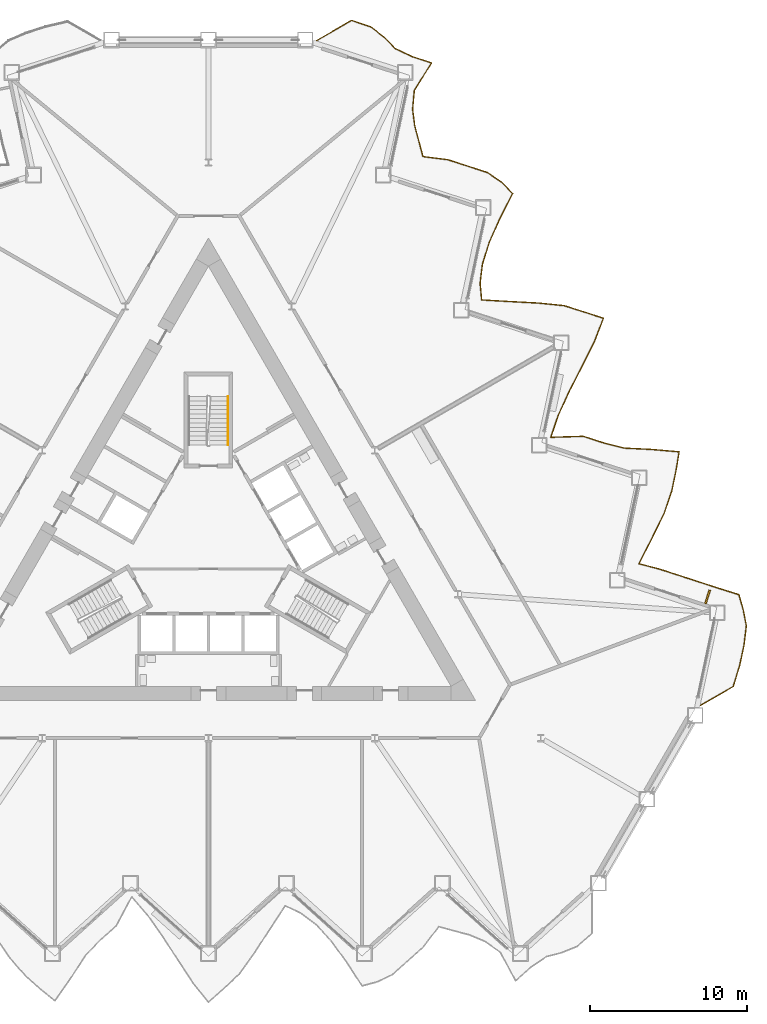
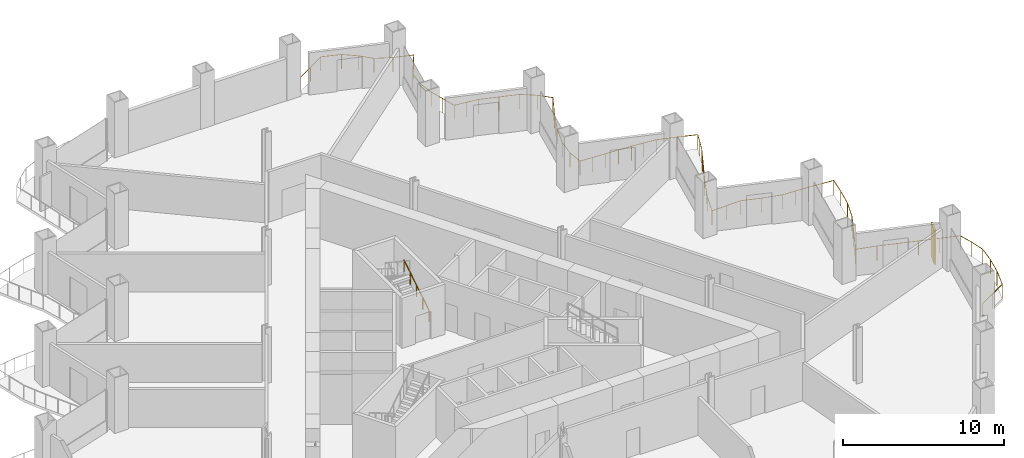
# One storey, part 18 of 20: 2 railings, 1 shading device.
"""IFC4 building model written with IfcOpenShell, lengths in metres."""

from ifc_helpers import new_model, si_unit, direction, frame, origin, origin_2d, place, context, subcontext, project, spatial, rectangle, circle, extrude, material, layer, layer_set, type_object, element, save


model = new_model("IFC4")

# Units and contexts
model_context = context("Model", 3, precision=1e-05, world=origin(), true_north=direction((0.0, 1.0)))
body_context = subcontext(model_context, "Body", "Model", "MODEL_VIEW")
ifc_project = project(units=[si_unit("LENGTHUNIT", "METRE"), si_unit("AREAUNIT", "SQUARE_METRE"), si_unit("VOLUMEUNIT", "CUBIC_METRE"), si_unit("PLANEANGLEUNIT", "RADIAN"), si_unit("MASSUNIT", "GRAM", prefix="KILO")], contexts=[model_context])

# Site, building, storey
site_placement = place(None, origin())
site = spatial("IfcSite", under=ifc_project, at=site_placement, CompositionType="ELEMENT")
building_placement = place(site_placement, origin())
building = spatial("IfcBuilding", under=site, at=building_placement, Name="Cormorant Prow Tower", CompositionType="ELEMENT")
storey_placement = place(building_placement, frame((0.0, 0.0, 63.60009765625)))
storey = spatial("IfcBuildingStorey", under=building, at=storey_placement, Name="L13", CompositionType="ELEMENT", Elevation=63.60009765625)

# Railings
ifc_material_1 = material(Name="Aluminium 6063-T6", Category="aluminium")
railing_type_1 = type_object("IfcRailingType", Name="Balcony guard 1100", PredefinedType="GUARDRAIL", material=ifc_material_1)
railing_1_placement = place(storey_placement, frame((31.3291015625, -10.131591796875, 0.0)))
element("IfcRailing", 1, at=railing_1_placement, inside=storey, type_object=railing_type_1, Name="Balcony guard ENE", PredefinedType="GUARDRAIL", context=body_context, shape_type="SweptSolid", body=[
    extrude(circle(Radius=0.02392578125, at=origin_2d()), frame((0.0, 0.0, 1.076171875), z_axis=(0.866028295127, 0.499994992015, 0.0), x_axis=(-0.499994992015, 0.866028295127, 0.0)), (0.0, 0.0, 1.0), 2.40380859375),
    extrude(circle(Radius=0.02392578125, at=origin_2d()), frame((2.081787109375, 1.201904296875, 1.076171875), z_axis=(0.291568684653, 0.956549895264, 0.0), x_axis=(-0.956549895264, 0.291568684653, 0.0)), (0.0, 0.0, 1.0), 1.431884765625),
    extrude(circle(Radius=0.02392578125, at=origin_2d()), frame((2.499267578125, 2.571533203125, 1.076171875), z_axis=(0.207843219599, 0.978162152236, 0.0), x_axis=(-0.978162152236, 0.207843219599, 0.0)), (0.0, 0.0, 1.0), 1.315673828125),
    extrude(circle(Radius=0.02392578125, at=origin_2d()), frame((2.772705078125, 3.8583984375, 1.076171875), z_axis=(0.119137338325, 0.99287778433, 0.0), x_axis=(-0.99287778433, 0.119137338325, 0.0)), (0.0, 0.0, 1.0), 1.221435546875),
    extrude(circle(Radius=0.02392578125, at=origin_2d()), frame((2.918212890625, 5.071044921875, 1.076171875), z_axis=(-0.192070964162, 0.981381039518, 0.0), x_axis=(-0.981381039518, -0.192070964162, 0.0)), (0.0, 0.0, 1.0), 1.033447265625),
    extrude(circle(Radius=0.02392578125, at=origin_2d()), frame((2.7197265625, 6.085205078125, 1.076171875), z_axis=(-0.277057369116, 0.960853378106, 0.0), x_axis=(-0.960853378106, -0.277057369116, 0.0)), (0.0, 0.0, 1.0), 1.007080078125),
    extrude(circle(Radius=0.02392578125, at=origin_2d()), frame((2.440673828125, 7.052978515625, 1.076171875), z_axis=(-0.954349059567, 0.298693609745, 0.0), x_axis=(-0.298693609745, -0.954349059567, 0.0)), (0.0, 0.0, 1.0), 1.328125),
    extrude(circle(Radius=0.02392578125, at=origin_2d()), frame((1.173095703125, 7.44970703125, 1.076171875), z_axis=(-0.95106815658, 0.308981166967, 0.0), x_axis=(-0.308981166967, -0.95106815658, 0.0)), (0.0, 0.0, 1.0), 1.315673828125),
    extrude(circle(Radius=0.02392578125, at=origin_2d()), frame((-0.078125, 7.856201171875, 1.076171875), z_axis=(-0.951050435231, 0.30903570934, 0.0), x_axis=(-0.30903570934, -0.951050435231, 0.0)), (0.0, 0.0, 1.0), 1.3154296875),
    extrude(circle(Radius=0.02392578125, at=origin_2d()), frame((-1.3291015625, 8.2626953125, 1.076171875), z_axis=(-0.95106815658, 0.308981166967, 0.0), x_axis=(-0.308981166967, -0.95106815658, 0.0)), (0.0, 0.0, 1.0), 1.315673828125),
    extrude(circle(Radius=0.02392578125, at=origin_2d()), frame((-2.580322265625, 8.669189453125, 1.076171875), z_axis=(-0.967233662094, 0.253887854991, 0.0), x_axis=(-0.253887854991, -0.967233662094, 0.0)), (0.0, 0.0, 1.0), 1.389404296875),
    extrude(circle(Radius=0.02392578125, at=origin_2d()), frame((-3.92431640625, 9.02197265625, 1.076171875), z_axis=(0.45708818819, 0.889421378322, 0.0), x_axis=(-0.889421378322, 0.45708818819, 0.0)), (0.0, 0.0, 1.0), 1.8046875),
    extrude(circle(Radius=0.02392578125, at=origin_2d()), frame((-3.099365234375, 10.627197265625, 1.076171875), z_axis=(0.44063445979, 0.897686622851, 0.0), x_axis=(-0.897686622851, 0.44063445979, 0.0)), (0.0, 0.0, 1.0), 1.754638671875),
    extrude(circle(Radius=0.02392578125, at=origin_2d()), frame((-2.326171875, 12.202392578125, 1.076171875), z_axis=(0.325359186803, 0.945590503105, 0.0), x_axis=(-0.945590503105, 0.325359186803, 0.0)), (0.0, 0.0, 1.0), 1.489501953125),
    extrude(circle(Radius=0.02392578125, at=origin_2d()), frame((-1.841552734375, 13.61083984375, 1.076171875), z_axis=(0.207880954361, 0.978154133465, 0.0), x_axis=(-0.978154133465, 0.207880954361, 0.0)), (0.0, 0.0, 1.0), 1.3154296875),
    extrude(circle(Radius=0.02392578125, at=origin_2d()), frame((-1.568115234375, 14.8974609375, 1.076171875), z_axis=(0.162739584214, 0.986669056842, 0.0), x_axis=(-0.986669056842, 0.162739584214, 0.0)), (0.0, 0.0, 1.0), 1.2646484375),
    extrude(circle(Radius=0.02392578125, at=origin_2d()), frame((-1.3623046875, 16.145263671875, 1.076171875), z_axis=(-0.996170344756, 0.087433656158, 0.0), x_axis=(-0.087433656158, -0.996170344756, 0.0)), (0.0, 0.0, 1.0), 1.703369140625),
    extrude(circle(Radius=0.02392578125, at=origin_2d()), frame((-3.05908203125, 16.294189453125, 1.076171875), z_axis=(-0.998770844502, 0.049566119198, 0.0), x_axis=(-0.049566119198, -0.998770844502, 0.0)), (0.0, 0.0, 1.0), 1.802734375),
    extrude(circle(Radius=0.02392578125, at=origin_2d()), frame((-4.859619140625, 16.383544921875, 1.076171875), z_axis=(-0.969139593685, 0.24651257159, 0.0), x_axis=(-0.24651257159, -0.969139593685, 0.0)), (0.0, 0.0, 1.0), 1.400390625),
    extrude(circle(Radius=0.02392578125, at=origin_2d()), frame((-6.216796875, 16.728759765625, 1.076171875), z_axis=(-0.951122678146, 0.308813294914, 0.0), x_axis=(-0.308813294914, -0.951122678146, 0.0)), (0.0, 0.0, 1.0), 1.3154296875),
    extrude(circle(Radius=0.02392578125, at=origin_2d()), frame((-7.468017578125, 17.135009765625, 1.076171875), z_axis=(-0.999524557698, -0.030832751396, 0.0), x_axis=(0.030832751396, -0.999524557698, 0.0)), (0.0, 0.0, 1.0), 2.066650390625),
    extrude(circle(Radius=0.02392578125, at=origin_2d()), frame((-9.53369140625, 17.0712890625, 1.076171875), z_axis=(0.322292029461, 0.946640294804, 0.0), x_axis=(-0.946640294804, 0.322292029461, 0.0)), (0.0, 0.0, 1.0), 1.48388671875),
    extrude(circle(Radius=0.02392578125, at=origin_2d()), frame((-9.055419921875, 18.47607421875, 1.076171875), z_axis=(0.417271310622, 0.908781961381, 0.0), x_axis=(-0.908781961381, 0.417271310622, 0.0)), (0.0, 0.0, 1.0), 1.6904296875),
    extrude(circle(Radius=0.02392578125, at=origin_2d()), frame((-8.35009765625, 20.01220703125, 1.076171875), z_axis=(0.455498311896, 0.890236647111, 0.0), x_axis=(-0.890236647111, 0.455498311896, 0.0)), (0.0, 0.0, 1.0), 1.79931640625),
    extrude(circle(Radius=0.02392578125, at=origin_2d()), frame((-7.530517578125, 21.614013671875, 1.076171875), z_axis=(0.446497072921, 0.894785093681, 0.0), x_axis=(-0.894785093681, 0.446497072921, 0.0)), (0.0, 0.0, 1.0), 1.772216796875),
    extrude(circle(Radius=0.02392578125, at=origin_2d()), frame((-6.7392578125, 23.19970703125, 1.076171875), z_axis=(0.358431464982, 0.933556042726, 0.0), x_axis=(-0.933556042726, 0.358431464982, 0.0)), (0.0, 0.0, 1.0), 1.5537109375),
    extrude(circle(Radius=0.02392578125, at=origin_2d()), frame((-6.182373046875, 24.650146484375, 1.076171875), z_axis=(-0.951122678146, 0.308813294914, 0.0), x_axis=(-0.308813294914, -0.951122678146, 0.0)), (0.0, 0.0, 1.0), 1.3154296875),
    extrude(circle(Radius=0.02392578125, at=origin_2d()), frame((-7.43359375, 25.056396484375, 1.076171875), z_axis=(-0.953643881529, 0.300937447358, 0.0), x_axis=(-0.300937447358, -0.953643881529, 0.0)), (0.0, 0.0, 1.0), 1.32568359375),
    extrude(circle(Radius=0.02392578125, at=origin_2d()), frame((-8.69775390625, 25.455322265625, 1.076171875), z_axis=(-0.995097574217, 0.09889801711, 0.0), x_axis=(-0.09889801711, -0.995097574217, 0.0)), (0.0, 0.0, 1.0), 1.67626953125),
    extrude(circle(Radius=0.02392578125, at=origin_2d()), frame((-10.36572265625, 25.62109375, 1.076171875), z_axis=(-0.998635801045, 0.052216251035, 0.0), x_axis=(-0.052216251035, -0.998635801045, 0.0)), (0.0, 0.0, 1.0), 1.79541015625),
    extrude(circle(Radius=0.02392578125, at=origin_2d()), frame((-12.15869140625, 25.71484375, 1.076171875), z_axis=(-0.998322755182, 0.057893665341, 0.0), x_axis=(-0.057893665341, -0.998322755182, 0.0)), (0.0, 0.0, 1.0), 1.779541015625),
    extrude(circle(Radius=0.02392578125, at=origin_2d()), frame((-13.935302734375, 25.81787109375, 1.076171875), z_axis=(-0.091415167566, 0.99581286753, 0.0), x_axis=(-0.99581286753, -0.091415167566, 0.0)), (0.0, 0.0, 1.0), 1.076171875),
    extrude(circle(Radius=0.02392578125, at=origin_2d()), frame((-14.03369140625, 26.8896484375, 1.076171875), z_axis=(0.123863168614, 0.992299307397, 0.0), x_axis=(-0.992299307397, 0.123863168614, 0.0)), (0.0, 0.0, 1.0), 1.22607421875),
    extrude(circle(Radius=0.02392578125, at=origin_2d()), frame((-13.8818359375, 28.106201171875, 1.076171875), z_axis=(0.30028303129, 0.95385014605, 0.0), x_axis=(-0.95385014605, 0.30028303129, 0.0)), (0.0, 0.0, 1.0), 1.4462890625),
    extrude(circle(Radius=0.02392578125, at=origin_2d()), frame((-13.447509765625, 29.48583984375, 1.076171875), z_axis=(0.406138466053, 0.91381154862, 0.0), x_axis=(-0.91381154862, 0.406138466053, 0.0)), (0.0, 0.0, 1.0), 1.66162109375),
    extrude(circle(Radius=0.02392578125, at=origin_2d()), frame((-12.772705078125, 31.004150390625, 1.076171875), z_axis=(0.452605619948, 0.891710801096, 0.0), x_axis=(-0.891710801096, 0.452605619948, 0.0)), (0.0, 0.0, 1.0), 1.790283203125),
    extrude(circle(Radius=0.02392578125, at=origin_2d()), frame((-11.96240234375, 32.6005859375, 1.076171875), z_axis=(-0.709392215106, 0.704813936544, 0.0), x_axis=(-0.704813936544, -0.709392215106, 0.0)), (0.0, 0.0, 1.0), 1.01318359375),
    extrude(circle(Radius=0.02392578125, at=origin_2d()), frame((-12.68115234375, 33.314697265625, 1.076171875), z_axis=(-0.823343636719, 0.567543175339, 0.0), x_axis=(-0.567543175339, -0.823343636719, 0.0)), (0.0, 0.0, 1.0), 1.082275390625),
    extrude(circle(Radius=0.02392578125, at=origin_2d()), frame((-13.572265625, 33.928955078125, 1.076171875), z_axis=(-0.951050435231, 0.30903570934, 0.0), x_axis=(-0.30903570934, -0.951050435231, 0.0)), (0.0, 0.0, 1.0), 1.3154296875),
    extrude(circle(Radius=0.02392578125, at=origin_2d()), frame((-14.8232421875, 34.33544921875, 1.076171875), z_axis=(-0.95106815658, 0.308981166967, 0.0), x_axis=(-0.308981166967, -0.95106815658, 0.0)), (0.0, 0.0, 1.0), 1.315673828125),
    extrude(circle(Radius=0.02392578125, at=origin_2d()), frame((-16.074462890625, 34.741943359375, 1.076171875), z_axis=(-0.991950992504, 0.126622385348, 0.0), x_axis=(-0.126622385348, -0.991950992504, 0.0)), (0.0, 0.0, 1.0), 1.61376953125),
    extrude(circle(Radius=0.02392578125, at=origin_2d()), frame((-17.67529296875, 34.9462890625, 1.076171875), z_axis=(-0.253912214246, 0.967227267738, 0.0), x_axis=(-0.967227267738, -0.253912214246, 0.0)), (0.0, 0.0, 1.0), 1.013427734375),
    extrude(circle(Radius=0.02392578125, at=origin_2d()), frame((-17.9326171875, 35.926513671875, 1.076171875), z_axis=(-0.261687233398, 0.965152729819, 0.0), x_axis=(-0.965152729819, -0.261687233398, 0.0)), (0.0, 0.0, 1.0), 1.01123046875),
    extrude(circle(Radius=0.02392578125, at=origin_2d()), frame((-18.197265625, 36.902587890625, 1.076171875), z_axis=(-0.124261304675, 0.992249529181, 0.0), x_axis=(-0.992249529181, -0.124261304675, 0.0)), (0.0, 0.0, 1.0), 1.06103515625),
    extrude(circle(Radius=0.02392578125, at=origin_2d()), frame((-18.3291015625, 37.955322265625, 1.076171875), z_axis=(0.089467495332, 0.995989742557, 0.0), x_axis=(-0.995989742557, 0.089467495332, 0.0)), (0.0, 0.0, 1.0), 1.1953125),
    extrude(circle(Radius=0.02392578125, at=origin_2d()), frame((-18.22216796875, 39.145751953125, 1.076171875), z_axis=(0.528039693597, 0.84921969006, 0.0), x_axis=(-0.84921969006, 0.528039693597, 0.0)), (0.0, 0.0, 1.0), 2.07373046875),
    extrude(circle(Radius=0.02392578125, at=origin_2d()), frame((-17.127197265625, 40.90673828125, 1.076171875), z_axis=(-0.951050435231, 0.30903570934, 0.0), x_axis=(-0.30903570934, -0.951050435231, 0.0)), (0.0, 0.0, 1.0), 1.3154296875),
    extrude(circle(Radius=0.02392578125, at=origin_2d()), frame((-18.378173828125, 41.313232421875, 1.076171875), z_axis=(-0.900774449028, 0.434287222904, 0.0), x_axis=(-0.434287222904, -0.900774449028, 0.0)), (0.0, 0.0, 1.0), 1.182861328125),
    extrude(circle(Radius=0.02392578125, at=origin_2d()), frame((-19.443603515625, 41.826904296875, 1.076171875), z_axis=(-0.701158389728, 0.713005548726, 0.0), x_axis=(-0.713005548726, -0.701158389728, 0.0)), (0.0, 0.0, 1.0), 1.009765625),
    extrude(circle(Radius=0.02392578125, at=origin_2d()), frame((-20.151611328125, 42.546875, 1.076171875), z_axis=(-0.787690684172, 0.616070926168, 0.0), x_axis=(-0.616070926168, -0.787690684172, 0.0)), (0.0, 0.0, 1.0), 1.05419921875),
    extrude(circle(Radius=0.02392578125, at=origin_2d()), frame((-20.98193359375, 43.1962890625, 1.076171875), z_axis=(-0.946922575113, 0.321461718936, 0.0), x_axis=(-0.321461718936, -0.946922575113, 0.0)), (0.0, 0.0, 1.0), 1.30029296875),
    extrude(circle(Radius=0.02392578125, at=origin_2d()), frame((-22.213134765625, 43.6142578125, 1.076171875), z_axis=(-0.866013163002, -0.500021201058, 0.0), x_axis=(0.500021201058, -0.866013163002, 0.0)), (0.0, 0.0, 1.0), 2.5703125),
    extrude(circle(Radius=0.02099609375, at=origin_2d()), origin(), (0.0, 0.0, 1.0), 1.052001953125),
    extrude(circle(Radius=0.02099609375, at=origin_2d()), frame((1.041015625, 0.60107421875, 0.0)), (0.0, 0.0, 1.0), 1.052001953125),
    extrude(circle(Radius=0.02099609375, at=origin_2d()), frame((2.081787109375, 1.201904296875, 0.0)), (0.0, 0.0, 1.0), 1.052001953125),
    extrude(circle(Radius=0.02099609375, at=origin_2d()), frame((2.499267578125, 2.571533203125, 0.0)), (0.0, 0.0, 1.0), 1.052001953125),
    extrude(circle(Radius=0.02099609375, at=origin_2d()), frame((2.772705078125, 3.8583984375, 0.0)), (0.0, 0.0, 1.0), 1.052001953125),
    extrude(circle(Radius=0.02099609375, at=origin_2d()), frame((2.918212890625, 5.071044921875, 0.0)), (0.0, 0.0, 1.0), 1.052001953125),
    extrude(circle(Radius=0.02099609375, at=origin_2d()), frame((2.7197265625, 6.085205078125, 0.0)), (0.0, 0.0, 1.0), 1.052001953125),
    extrude(circle(Radius=0.02099609375, at=origin_2d()), frame((2.440673828125, 7.052978515625, 0.0)), (0.0, 0.0, 1.0), 1.052001953125),
    extrude(circle(Radius=0.02099609375, at=origin_2d()), frame((1.173095703125, 7.44970703125, 0.0)), (0.0, 0.0, 1.0), 1.052001953125),
    extrude(circle(Radius=0.02099609375, at=origin_2d()), frame((-0.078125, 7.856201171875, 0.0)), (0.0, 0.0, 1.0), 1.052001953125),
    extrude(circle(Radius=0.02099609375, at=origin_2d()), frame((-1.3291015625, 8.2626953125, 0.0)), (0.0, 0.0, 1.0), 1.052001953125),
    extrude(circle(Radius=0.02099609375, at=origin_2d()), frame((-2.580322265625, 8.669189453125, 0.0)), (0.0, 0.0, 1.0), 1.052001953125),
    extrude(circle(Radius=0.02099609375, at=origin_2d()), frame((-3.92431640625, 9.02197265625, 0.0)), (0.0, 0.0, 1.0), 1.052001953125),
    extrude(circle(Radius=0.02099609375, at=origin_2d()), frame((-3.51171875, 9.82470703125, 0.0)), (0.0, 0.0, 1.0), 1.052001953125),
    extrude(circle(Radius=0.02099609375, at=origin_2d()), frame((-3.099365234375, 10.627197265625, 0.0)), (0.0, 0.0, 1.0), 1.052001953125),
    extrude(circle(Radius=0.02099609375, at=origin_2d()), frame((-2.712890625, 11.414794921875, 0.0)), (0.0, 0.0, 1.0), 1.052001953125),
    extrude(circle(Radius=0.02099609375, at=origin_2d()), frame((-2.326171875, 12.202392578125, 0.0)), (0.0, 0.0, 1.0), 1.052001953125),
    extrude(circle(Radius=0.02099609375, at=origin_2d()), frame((-1.841552734375, 13.61083984375, 0.0)), (0.0, 0.0, 1.0), 1.052001953125),
    extrude(circle(Radius=0.02099609375, at=origin_2d()), frame((-1.568115234375, 14.8974609375, 0.0)), (0.0, 0.0, 1.0), 1.052001953125),
    extrude(circle(Radius=0.02099609375, at=origin_2d()), frame((-1.3623046875, 16.145263671875, 0.0)), (0.0, 0.0, 1.0), 1.052001953125),
    extrude(circle(Radius=0.02099609375, at=origin_2d()), frame((-2.210693359375, 16.2197265625, 0.0)), (0.0, 0.0, 1.0), 1.052001953125),
    extrude(circle(Radius=0.02099609375, at=origin_2d()), frame((-3.05908203125, 16.294189453125, 0.0)), (0.0, 0.0, 1.0), 1.052001953125),
    extrude(circle(Radius=0.02099609375, at=origin_2d()), frame((-3.95947265625, 16.3388671875, 0.0)), (0.0, 0.0, 1.0), 1.052001953125),
    extrude(circle(Radius=0.02099609375, at=origin_2d()), frame((-4.859619140625, 16.383544921875, 0.0)), (0.0, 0.0, 1.0), 1.052001953125),
    extrude(circle(Radius=0.02099609375, at=origin_2d()), frame((-6.216796875, 16.728759765625, 0.0)), (0.0, 0.0, 1.0), 1.052001953125),
    extrude(circle(Radius=0.02099609375, at=origin_2d()), frame((-7.468017578125, 17.135009765625, 0.0)), (0.0, 0.0, 1.0), 1.052001953125),
    extrude(circle(Radius=0.02099609375, at=origin_2d()), frame((-8.5009765625, 17.10302734375, 0.0)), (0.0, 0.0, 1.0), 1.052001953125),
    extrude(circle(Radius=0.02099609375, at=origin_2d()), frame((-9.53369140625, 17.0712890625, 0.0)), (0.0, 0.0, 1.0), 1.052001953125),
    extrude(circle(Radius=0.02099609375, at=origin_2d()), frame((-9.055419921875, 18.47607421875, 0.0)), (0.0, 0.0, 1.0), 1.052001953125),
    extrude(circle(Radius=0.02099609375, at=origin_2d()), frame((-8.70263671875, 19.244140625, 0.0)), (0.0, 0.0, 1.0), 1.052001953125),
    extrude(circle(Radius=0.02099609375, at=origin_2d()), frame((-8.35009765625, 20.01220703125, 0.0)), (0.0, 0.0, 1.0), 1.052001953125),
    extrude(circle(Radius=0.02099609375, at=origin_2d()), frame((-7.9404296875, 20.81298828125, 0.0)), (0.0, 0.0, 1.0), 1.052001953125),
    extrude(circle(Radius=0.02099609375, at=origin_2d()), frame((-7.530517578125, 21.614013671875, 0.0)), (0.0, 0.0, 1.0), 1.052001953125),
    extrude(circle(Radius=0.02099609375, at=origin_2d()), frame((-7.134765625, 22.40673828125, 0.0)), (0.0, 0.0, 1.0), 1.052001953125),
    extrude(circle(Radius=0.02099609375, at=origin_2d()), frame((-6.7392578125, 23.19970703125, 0.0)), (0.0, 0.0, 1.0), 1.052001953125),
    extrude(circle(Radius=0.02099609375, at=origin_2d()), frame((-6.4609375, 23.9248046875, 0.0)), (0.0, 0.0, 1.0), 1.052001953125),
    extrude(circle(Radius=0.02099609375, at=origin_2d()), frame((-6.182373046875, 24.650146484375, 0.0)), (0.0, 0.0, 1.0), 1.052001953125),
    extrude(circle(Radius=0.02099609375, at=origin_2d()), frame((-7.43359375, 25.056396484375, 0.0)), (0.0, 0.0, 1.0), 1.052001953125),
    extrude(circle(Radius=0.02099609375, at=origin_2d()), frame((-8.69775390625, 25.455322265625, 0.0)), (0.0, 0.0, 1.0), 1.052001953125),
    extrude(circle(Radius=0.02099609375, at=origin_2d()), frame((-9.53173828125, 25.5380859375, 0.0)), (0.0, 0.0, 1.0), 1.052001953125),
    extrude(circle(Radius=0.02099609375, at=origin_2d()), frame((-10.36572265625, 25.62109375, 0.0)), (0.0, 0.0, 1.0), 1.052001953125),
    extrude(circle(Radius=0.02099609375, at=origin_2d()), frame((-11.26220703125, 25.66796875, 0.0)), (0.0, 0.0, 1.0), 1.052001953125),
    extrude(circle(Radius=0.02099609375, at=origin_2d()), frame((-12.15869140625, 25.71484375, 0.0)), (0.0, 0.0, 1.0), 1.052001953125),
    extrude(circle(Radius=0.02099609375, at=origin_2d()), frame((-13.046875, 25.766357421875, 0.0)), (0.0, 0.0, 1.0), 1.052001953125),
    extrude(circle(Radius=0.02099609375, at=origin_2d()), frame((-13.935302734375, 25.81787109375, 0.0)), (0.0, 0.0, 1.0), 1.052001953125),
    extrude(circle(Radius=0.02099609375, at=origin_2d()), frame((-14.03369140625, 26.8896484375, 0.0)), (0.0, 0.0, 1.0), 1.052001953125),
    extrude(circle(Radius=0.02099609375, at=origin_2d()), frame((-13.8818359375, 28.106201171875, 0.0)), (0.0, 0.0, 1.0), 1.052001953125),
    extrude(circle(Radius=0.02099609375, at=origin_2d()), frame((-13.447509765625, 29.48583984375, 0.0)), (0.0, 0.0, 1.0), 1.052001953125),
    extrude(circle(Radius=0.02099609375, at=origin_2d()), frame((-13.110107421875, 30.2451171875, 0.0)), (0.0, 0.0, 1.0), 1.052001953125),
    extrude(circle(Radius=0.02099609375, at=origin_2d()), frame((-12.772705078125, 31.004150390625, 0.0)), (0.0, 0.0, 1.0), 1.052001953125),
    extrude(circle(Radius=0.02099609375, at=origin_2d()), frame((-12.36767578125, 31.80224609375, 0.0)), (0.0, 0.0, 1.0), 1.052001953125),
    extrude(circle(Radius=0.02099609375, at=origin_2d()), frame((-11.96240234375, 32.6005859375, 0.0)), (0.0, 0.0, 1.0), 1.052001953125),
    extrude(circle(Radius=0.02099609375, at=origin_2d()), frame((-12.68115234375, 33.314697265625, 0.0)), (0.0, 0.0, 1.0), 1.052001953125),
    extrude(circle(Radius=0.02099609375, at=origin_2d()), frame((-13.572265625, 33.928955078125, 0.0)), (0.0, 0.0, 1.0), 1.052001953125),
    extrude(circle(Radius=0.02099609375, at=origin_2d()), frame((-14.8232421875, 34.33544921875, 0.0)), (0.0, 0.0, 1.0), 1.052001953125),
    extrude(circle(Radius=0.02099609375, at=origin_2d()), frame((-16.074462890625, 34.741943359375, 0.0)), (0.0, 0.0, 1.0), 1.052001953125),
    extrude(circle(Radius=0.02099609375, at=origin_2d()), frame((-16.875, 34.84423828125, 0.0)), (0.0, 0.0, 1.0), 1.052001953125),
    extrude(circle(Radius=0.02099609375, at=origin_2d()), frame((-17.67529296875, 34.9462890625, 0.0)), (0.0, 0.0, 1.0), 1.052001953125),
    extrude(circle(Radius=0.02099609375, at=origin_2d()), frame((-17.9326171875, 35.926513671875, 0.0)), (0.0, 0.0, 1.0), 1.052001953125),
    extrude(circle(Radius=0.02099609375, at=origin_2d()), frame((-18.197265625, 36.902587890625, 0.0)), (0.0, 0.0, 1.0), 1.052001953125),
    extrude(circle(Radius=0.02099609375, at=origin_2d()), frame((-18.3291015625, 37.955322265625, 0.0)), (0.0, 0.0, 1.0), 1.052001953125),
    extrude(circle(Radius=0.02099609375, at=origin_2d()), frame((-18.22216796875, 39.145751953125, 0.0)), (0.0, 0.0, 1.0), 1.052001953125),
    extrude(circle(Radius=0.02099609375, at=origin_2d()), frame((-17.6748046875, 40.0263671875, 0.0)), (0.0, 0.0, 1.0), 1.052001953125),
    extrude(circle(Radius=0.02099609375, at=origin_2d()), frame((-17.127197265625, 40.90673828125, 0.0)), (0.0, 0.0, 1.0), 1.052001953125),
    extrude(circle(Radius=0.02099609375, at=origin_2d()), frame((-18.378173828125, 41.313232421875, 0.0)), (0.0, 0.0, 1.0), 1.052001953125),
    extrude(circle(Radius=0.02099609375, at=origin_2d()), frame((-19.443603515625, 41.826904296875, 0.0)), (0.0, 0.0, 1.0), 1.052001953125),
    extrude(circle(Radius=0.02099609375, at=origin_2d()), frame((-20.151611328125, 42.546875, 0.0)), (0.0, 0.0, 1.0), 1.052001953125),
    extrude(circle(Radius=0.02099609375, at=origin_2d()), frame((-20.98193359375, 43.1962890625, 0.0)), (0.0, 0.0, 1.0), 1.052001953125),
    extrude(circle(Radius=0.02099609375, at=origin_2d()), frame((-22.213134765625, 43.6142578125, 0.0)), (0.0, 0.0, 1.0), 1.052001953125),
    extrude(circle(Radius=0.02099609375, at=origin_2d()), frame((-23.326171875, 42.9716796875, 0.0)), (0.0, 0.0, 1.0), 1.052001953125),
    extrude(circle(Radius=0.02099609375, at=origin_2d()), frame((-24.43896484375, 42.3291015625, 0.0)), (0.0, 0.0, 1.0), 1.052001953125),
])
ifc_material_2 = material(Name="Stainless steel", Category="steel")
railing_type_2 = type_object("IfcRailingType", Name="Stair handrail 900", PredefinedType="HANDRAIL", material=ifc_material_2)
railing_2_placement = place(storey_placement, frame((1.243896484375, 6.455810546875, 0.1748046875)))
element("IfcRailing", 2, at=railing_2_placement, inside=storey, type_object=railing_type_2, Name="L13 ST3 stair handrail 1", PredefinedType="HANDRAIL", context=body_context, shape_type="SweptSolid", body=[
    extrude(circle(Radius=0.02392578125, at=origin_2d()), frame((0.0, 0.0, 0.8759765625), z_axis=(0.0, 0.847998304005, 0.529998940003), x_axis=(-1.0, 0.0, 0.0)), (0.0, 0.0, 1.0), 3.632080078125),
    extrude(circle(Radius=0.02099609375, at=origin_2d()), origin(), (0.0, 0.0, 1.0), 0.851806640625),
    extrude(circle(Radius=0.02099609375, at=origin_2d()), frame((0.0, 0.77001953125, 0.481201171875)), (0.0, 0.0, 1.0), 0.851806640625),
    extrude(circle(Radius=0.02099609375, at=origin_2d()), frame((0.0, 1.5400390625, 0.96240234375)), (0.0, 0.0, 1.0), 0.851806640625),
    extrude(circle(Radius=0.02099609375, at=origin_2d()), frame((0.0, 2.31005859375, 1.44384765625)), (0.0, 0.0, 1.0), 0.851806640625),
    extrude(circle(Radius=0.02099609375, at=origin_2d()), frame((0.0, 3.080078125, 1.925048828125)), (0.0, 0.0, 1.0), 0.851806640625),
])

# Shading device
ifc_material_3 = material(Name="Terracotta", Category="masonry")
ifc_layer = layer(ifc_material_3, 0.1201171875)
ifc_layer_set = layer_set([ifc_layer], Name="Terracotta")
shading_device_type = type_object("IfcShadingDeviceType", Name="Terracotta baguette fin 120x900x2600", PredefinedType="USERDEFINED", material=ifc_layer_set)
shading_device_placement = place(storey_placement, frame((31.78076171875, -3.224609375, -0.000244140625), z_axis=(0.0, 0.0, 1.0), x_axis=(-0.951056533317, 0.309016941988, 0.0)))
element("IfcShadingDevice", 3, at=shading_device_placement, inside=storey, type_object=shading_device_type, Name="Baguette fin ENE01", ObjectType="BAGUETTE", PredefinedType="USERDEFINED", context=body_context, shape_type="SweptSolid", body=[
    extrude(rectangle(XDim=0.1201171875, YDim=0.89990234375, at=origin_2d()), origin(), (0.0, 0.0, 1.0), 2.60009765625),
])

save(model, "model.ifc")
